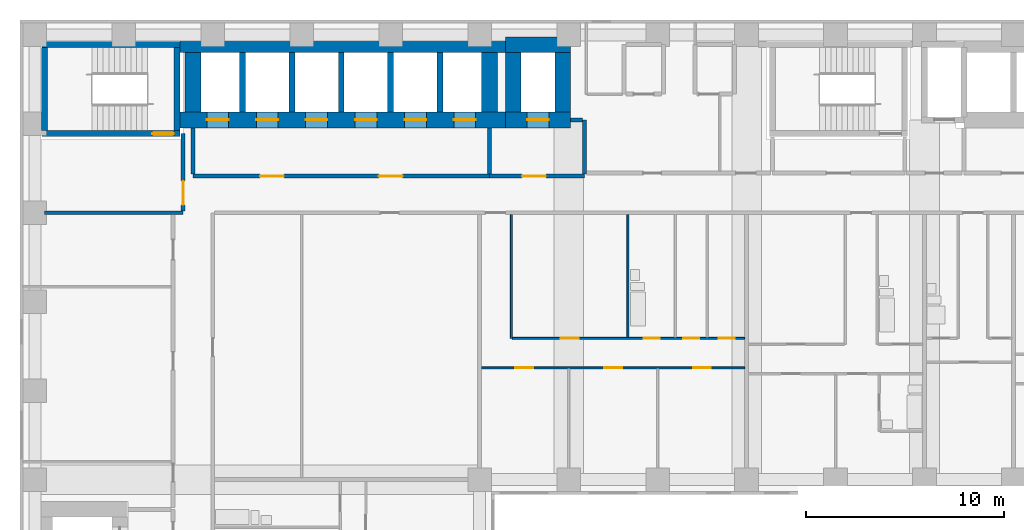
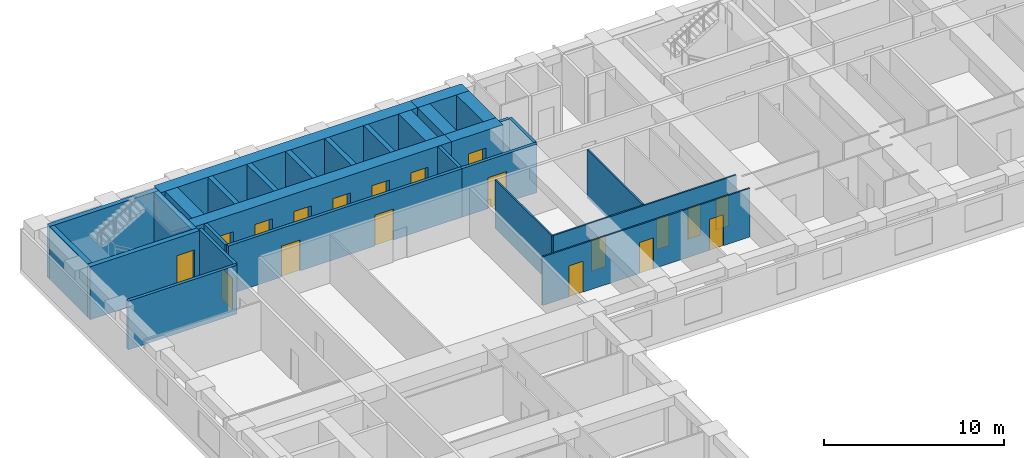
# One storey, part 5 of 12: 29 walls, 19 doors, 19 openings.
"""IFC4 building model written with IfcOpenShell, lengths in metres."""

from ifc_helpers import new_model, si_unit, direction, frame, frame_2d, origin, place, context, subcontext, project, spatial, rectangle, extrude, material, layer, layer_set, type_object, element, fill, save


model = new_model("IFC4")

# Units and contexts
model_context = context("Model", 3, precision=1e-05, world=origin(), true_north=direction((0.0, 1.0)))
body_context = subcontext(model_context, "Body", "Model", "MODEL_VIEW")
ifc_project = project(units=[si_unit("LENGTHUNIT", "METRE"), si_unit("AREAUNIT", "SQUARE_METRE"), si_unit("VOLUMEUNIT", "CUBIC_METRE"), si_unit("PLANEANGLEUNIT", "RADIAN"), si_unit("MASSUNIT", "GRAM", prefix="KILO")], contexts=[model_context])

# Site, building, storey
site_placement = place(None, origin())
site = spatial("IfcSite", under=ifc_project, at=site_placement, CompositionType="ELEMENT")
building_placement = place(site_placement, origin())
building = spatial("IfcBuilding", under=site, at=building_placement, Name="Firuza Court", CompositionType="ELEMENT")
storey_placement = place(building_placement, frame((0.0, 0.0, 65.0)))
storey = spatial("IfcBuildingStorey", under=building, at=storey_placement, Name="L15", CompositionType="ELEMENT", Elevation=65.0)

# Wall
ifc_material_1 = material(Name="Moisture-resistant gypsum board partition")
ifc_layer_1 = layer(ifc_material_1, 0.10009765625)
ifc_layer_set_1 = layer_set([ifc_layer_1], Name="Moisture-resistant gypsum board partition")
wall_type_1 = type_object("IfcWallType", Name="Bathroom partition 100", PredefinedType="PLUMBINGWALL", material=ifc_layer_set_1)
wall_1_placement = place(storey_placement, frame((30.0, 43.199951171875, 0.0), z_axis=(0.0, 0.0, 1.0), x_axis=(0.0, 1.0, 0.0)))
element("IfcWall", 1, at=wall_1_placement, inside=storey, type_object=wall_type_1, Name="Bathroom partition 100 L15", PredefinedType="PLUMBINGWALL", context=body_context, shape_type="SweptSolid", body=[
    extrude(rectangle(XDim=6.199951171875, YDim=0.10009765625, at=frame_2d((3.10009765625, 0.0))), origin(), (0.0, 0.0, 1.0), 3.300048828125),
])

# Wall, opening, door
ifc_material_2 = material(Name="Concrete C60/75", Category="concrete")
ifc_layer_2 = layer(ifc_material_2, 0.300048828125)
ifc_layer_set_2 = layer_set([ifc_layer_2], Name="Concrete C60/75")
wall_type_2 = type_object("IfcWallType", Name="Core wall 300 C60/75", PredefinedType="SHEAR", material=ifc_layer_set_2)
wall_2_placement = place(storey_placement, frame((0.35009765625, 53.5, -0.300048828125), z_axis=(0.0, 0.0, 1.0), x_axis=(1.0, 0.0, 0.0)))
wall_2 = element("IfcWall", 2, at=wall_2_placement, inside=storey, type_object=wall_type_2, Name="Core wall stair L15", PredefinedType="SHEAR", context=body_context, shape_type="SweptSolid", body=[
    extrude(rectangle(XDim=7.0, YDim=0.300048828125, at=frame_2d((3.5, 0.0))), origin(), (0.0, 0.0, 1.0), 3.60009765625),
])
opening_1_placement = place(wall_2_placement, frame((5.580078125, 0.0, 0.300048828125)))
opening_1 = element("IfcOpeningElement", 3, at=opening_1_placement, cuts=wall_2, Name="Opening D15016", PredefinedType="OPENING", context=body_context, shape_type="SweptSolid", body=[
    extrude(rectangle(XDim=1.10009765625, YDim=2.10009765625, at=frame_2d((0.550048828125, 1.050048828125))), frame((0.0, 0.162109375, 0.0), z_axis=(0.0, -1.0, 0.0), x_axis=(1.0, 0.0, 0.0)), (0.0, 0.0, 1.0), 0.323974609375),
])
ifc_material_3 = material(Name="Timber door leaf in hardwood frame", Category="wood")
door_type_1 = type_object("IfcDoorType", Name="Stair door 1100", OperationType="SINGLE_SWING_LEFT", PredefinedType="DOOR", material=ifc_material_3)
door_1_placement = place(opening_1_placement, origin())
door_1 = element("IfcDoor", 4, at=door_1_placement, inside=storey, type_object=door_type_1, Name="Stair door S3", OperationType="SINGLE_SWING_RIGHT", OverallHeight=2.10009765625, OverallWidth=1.10009765625, PredefinedType="DOOR", context=body_context, shape_type="SweptSolid", body=[
    extrude(rectangle(XDim=1.10009765625, YDim=2.10009765625, at=frame_2d((0.550048828125, 1.050048828125))), frame((0.0, 0.02490234375, 0.0), z_axis=(0.0, -1.0, 0.0), x_axis=(1.0, 0.0, 0.0)), (0.0, 0.0, 1.0), 0.050048828125),
])
fill(opening_1, door_1)

# Walls
wall_3_placement = place(storey_placement, frame((0.35009765625, 58.0, -0.300048828125), z_axis=(0.0, 0.0, 1.0), x_axis=(1.0, 0.0, 0.0)))
element("IfcWall", 5, at=wall_3_placement, inside=storey, type_object=wall_type_2, Name="Core wall stair L15", PredefinedType="SHEAR", context=body_context, shape_type="SweptSolid", body=[
    extrude(rectangle(XDim=7.0, YDim=0.300048828125, at=frame_2d((3.5, 0.0))), origin(), (0.0, 0.0, 1.0), 3.60009765625),
])
for number, where, z_axis, x_axis, name in (
    (6, (0.5, 53.64990234375, -0.300048828125), (0.0, 0.0, 1.0), (0.0, 1.0, 0.0), "Core wall stair L15"),
    (7, (7.199951171875, 53.64990234375, -0.300048828125), (0.0, 0.0, 1.0), (0.0, 1.0, 0.0), "Core wall stair L15"),
):
    element("IfcWall", number, at=place(storey_placement, frame(where, z_axis=z_axis, x_axis=x_axis)), inside=storey, type_object=wall_type_2, Name=name, PredefinedType="SHEAR", context=body_context, shape_type="SweptSolid", body=[
        extrude(rectangle(XDim=4.2001953125, YDim=0.300048828125, at=frame_2d((2.10009765625, 0.0))), origin(), (0.0, 0.0, 1.0), 3.60009765625),
    ])
for number, where, z_axis, x_axis, name in (
    (8, (10.5, 54.60009765625, -0.300048828125), (0.0, 0.0, 1.0), (0.0, 1.0, 0.0), "Core wall lift shaft L15"),
    (9, (13.0, 54.60009765625, -0.300048828125), (0.0, 0.0, 1.0), (0.0, 1.0, 0.0), "Core wall lift shaft L15"),
    (10, (15.5, 54.60009765625, -0.300048828125), (0.0, 0.0, 1.0), (0.0, 1.0, 0.0), "Core wall lift shaft L15"),
    (11, (18.0, 54.60009765625, -0.300048828125), (0.0, 0.0, 1.0), (0.0, 1.0, 0.0), "Core wall lift shaft L15"),
    (12, (20.5, 54.60009765625, -0.300048828125), (0.0, 0.0, 1.0), (0.0, 1.0, 0.0), "Core wall lift shaft L15"),
):
    element("IfcWall", number, at=place(storey_placement, frame(where, z_axis=z_axis, x_axis=x_axis)), inside=storey, type_object=wall_type_2, Name=name, PredefinedType="SHEAR", context=body_context, shape_type="SweptSolid", body=[
        extrude(rectangle(XDim=3.0, YDim=0.300048828125, at=frame_2d((1.5, 0.0))), origin(), (0.0, 0.0, 1.0), 3.60009765625),
    ])

# Wall, openings, doors
ifc_layer_3 = layer(ifc_material_2, 0.800048828125)
ifc_layer_set_3 = layer_set([ifc_layer_3], Name="Concrete C60/75")
wall_type_3 = type_object("IfcWallType", Name="Core wall 800 C60/75", PredefinedType="SHEAR", material=ifc_layer_set_3)
wall_4_placement = place(storey_placement, frame((7.35009765625, 54.199951171875, -0.300048828125), z_axis=(0.0, 0.0, 1.0), x_axis=(1.0, 0.0, 0.0)))
wall_4 = element("IfcWall", 13, at=wall_4_placement, inside=storey, type_object=wall_type_3, Name="Core wall lift shaft L15", PredefinedType="SHEAR", context=body_context, shape_type="SweptSolid", body=[
    extrude(rectangle(XDim=16.449951171875, YDim=0.800048828125, at=frame_2d((8.22509765625, 0.0))), origin(), (0.0, 0.0, 1.0), 3.60009765625),
])
opening_2_placement = place(wall_4_placement, frame((1.35009765625, 0.0, 0.300048828125)))
opening_2 = element("IfcOpeningElement", 14, at=opening_2_placement, cuts=wall_4, Name="Opening LD-LB1-15", PredefinedType="OPENING", context=body_context, shape_type="SweptSolid", body=[
    extrude(rectangle(XDim=1.10009765625, YDim=2.10009765625, at=frame_2d((0.550048828125, 1.050048828125))), frame((0.0, 0.412109375, 0.0), z_axis=(0.0, -1.0, 0.0), x_axis=(1.0, 0.0, 0.0)), (0.0, 0.0, 1.0), 0.823974609375),
])
opening_3_placement = place(wall_4_placement, frame((3.85009765625, 0.0, 0.300048828125)))
opening_3 = element("IfcOpeningElement", 15, at=opening_3_placement, cuts=wall_4, Name="Opening LD-LB2-15", PredefinedType="OPENING", context=body_context, shape_type="SweptSolid", body=[
    extrude(rectangle(XDim=1.10009765625, YDim=2.10009765625, at=frame_2d((0.550048828125, 1.050048828125))), frame((0.0, 0.412109375, 0.0), z_axis=(0.0, -1.0, 0.0), x_axis=(1.0, 0.0, 0.0)), (0.0, 0.0, 1.0), 0.823974609375),
])
opening_4_placement = place(wall_4_placement, frame((6.35009765625, 0.0, 0.300048828125)))
opening_4 = element("IfcOpeningElement", 16, at=opening_4_placement, cuts=wall_4, Name="Opening LD-LB3-15", PredefinedType="OPENING", context=body_context, shape_type="SweptSolid", body=[
    extrude(rectangle(XDim=1.10009765625, YDim=2.10009765625, at=frame_2d((0.550048828125, 1.050048828125))), frame((0.0, 0.412109375, 0.0), z_axis=(0.0, -1.0, 0.0), x_axis=(1.0, 0.0, 0.0)), (0.0, 0.0, 1.0), 0.823974609375),
])
opening_5_placement = place(wall_4_placement, frame((8.85009765625, 0.0, 0.300048828125)))
opening_5 = element("IfcOpeningElement", 17, at=opening_5_placement, cuts=wall_4, Name="Opening LD-LB4-15", PredefinedType="OPENING", context=body_context, shape_type="SweptSolid", body=[
    extrude(rectangle(XDim=1.10009765625, YDim=2.10009765625, at=frame_2d((0.550048828125, 1.050048828125))), frame((0.0, 0.412109375, 0.0), z_axis=(0.0, -1.0, 0.0), x_axis=(1.0, 0.0, 0.0)), (0.0, 0.0, 1.0), 0.823974609375),
])
opening_6_placement = place(wall_4_placement, frame((11.35009765625, 0.0, 0.300048828125)))
opening_6 = element("IfcOpeningElement", 18, at=opening_6_placement, cuts=wall_4, Name="Opening LD-LB5-15", PredefinedType="OPENING", context=body_context, shape_type="SweptSolid", body=[
    extrude(rectangle(XDim=1.10009765625, YDim=2.10009765625, at=frame_2d((0.550048828125, 1.050048828125))), frame((0.0, 0.412109375, 0.0), z_axis=(0.0, -1.0, 0.0), x_axis=(1.0, 0.0, 0.0)), (0.0, 0.0, 1.0), 0.823974609375),
])
opening_7_placement = place(wall_4_placement, frame((13.85009765625, 0.0, 0.300048828125)))
opening_7 = element("IfcOpeningElement", 19, at=opening_7_placement, cuts=wall_4, Name="Opening LD-LB6-15", PredefinedType="OPENING", context=body_context, shape_type="SweptSolid", body=[
    extrude(rectangle(XDim=1.10009765625, YDim=2.10009765625, at=frame_2d((0.550048828125, 1.050048828125))), frame((0.0, 0.412109375, 0.0), z_axis=(0.0, -1.0, 0.0), x_axis=(1.0, 0.0, 0.0)), (0.0, 0.0, 1.0), 0.823974609375),
])
ifc_material_4 = material(Name="Stainless steel 1.4301 door leaf", Category="steel")
door_type_2 = type_object("IfcDoorType", Name="Lift landing door 1100", OperationType="SLIDING_TO_LEFT", PredefinedType="DOOR", material=ifc_material_4)
door_2_placement = place(opening_2_placement, origin())
door_2 = element("IfcDoor", 20, at=door_2_placement, inside=storey, type_object=door_type_2, Name="Landing door LB1", OperationType="SLIDING_TO_LEFT", OverallHeight=2.10009765625, OverallWidth=1.10009765625, PredefinedType="DOOR", context=body_context, shape_type="SweptSolid", body=[
    extrude(rectangle(XDim=1.10009765625, YDim=2.10009765625, at=frame_2d((0.550048828125, 1.050048828125))), frame((0.0, 0.02490234375, 0.0), z_axis=(0.0, -1.0, 0.0), x_axis=(1.0, 0.0, 0.0)), (0.0, 0.0, 1.0), 0.050048828125),
])
fill(opening_2, door_2)
door_3_placement = place(opening_3_placement, origin())
door_3 = element("IfcDoor", 21, at=door_3_placement, inside=storey, type_object=door_type_2, Name="Landing door LB2", OperationType="SLIDING_TO_LEFT", OverallHeight=2.10009765625, OverallWidth=1.10009765625, PredefinedType="DOOR", context=body_context, shape_type="SweptSolid", body=[
    extrude(rectangle(XDim=1.10009765625, YDim=2.10009765625, at=frame_2d((0.550048828125, 1.050048828125))), frame((0.0, 0.02490234375, 0.0), z_axis=(0.0, -1.0, 0.0), x_axis=(1.0, 0.0, 0.0)), (0.0, 0.0, 1.0), 0.050048828125),
])
fill(opening_3, door_3)
door_4_placement = place(opening_4_placement, origin())
door_4 = element("IfcDoor", 22, at=door_4_placement, inside=storey, type_object=door_type_2, Name="Landing door LB3", OperationType="SLIDING_TO_LEFT", OverallHeight=2.10009765625, OverallWidth=1.10009765625, PredefinedType="DOOR", context=body_context, shape_type="SweptSolid", body=[
    extrude(rectangle(XDim=1.10009765625, YDim=2.10009765625, at=frame_2d((0.550048828125, 1.050048828125))), frame((0.0, 0.02490234375, 0.0), z_axis=(0.0, -1.0, 0.0), x_axis=(1.0, 0.0, 0.0)), (0.0, 0.0, 1.0), 0.050048828125),
])
fill(opening_4, door_4)
door_5_placement = place(opening_5_placement, origin())
door_5 = element("IfcDoor", 23, at=door_5_placement, inside=storey, type_object=door_type_2, Name="Landing door LB4", OperationType="SLIDING_TO_LEFT", OverallHeight=2.10009765625, OverallWidth=1.10009765625, PredefinedType="DOOR", context=body_context, shape_type="SweptSolid", body=[
    extrude(rectangle(XDim=1.10009765625, YDim=2.10009765625, at=frame_2d((0.550048828125, 1.050048828125))), frame((0.0, 0.02490234375, 0.0), z_axis=(0.0, -1.0, 0.0), x_axis=(1.0, 0.0, 0.0)), (0.0, 0.0, 1.0), 0.050048828125),
])
fill(opening_5, door_5)
door_6_placement = place(opening_6_placement, origin())
door_6 = element("IfcDoor", 24, at=door_6_placement, inside=storey, type_object=door_type_2, Name="Landing door LB5", OperationType="SLIDING_TO_LEFT", OverallHeight=2.10009765625, OverallWidth=1.10009765625, PredefinedType="DOOR", context=body_context, shape_type="SweptSolid", body=[
    extrude(rectangle(XDim=1.10009765625, YDim=2.10009765625, at=frame_2d((0.550048828125, 1.050048828125))), frame((0.0, 0.02490234375, 0.0), z_axis=(0.0, -1.0, 0.0), x_axis=(1.0, 0.0, 0.0)), (0.0, 0.0, 1.0), 0.050048828125),
])
fill(opening_6, door_6)
door_7_placement = place(opening_7_placement, origin())
door_7 = element("IfcDoor", 25, at=door_7_placement, inside=storey, type_object=door_type_2, Name="Landing door LB6", OperationType="SLIDING_TO_LEFT", OverallHeight=2.10009765625, OverallWidth=1.10009765625, PredefinedType="DOOR", context=body_context, shape_type="SweptSolid", body=[
    extrude(rectangle(XDim=1.10009765625, YDim=2.10009765625, at=frame_2d((0.550048828125, 1.050048828125))), frame((0.0, 0.02490234375, 0.0), z_axis=(0.0, -1.0, 0.0), x_axis=(1.0, 0.0, 0.0)), (0.0, 0.0, 1.0), 0.050048828125),
])
fill(opening_7, door_7)

# Walls
wall_5_placement = place(storey_placement, frame((7.35009765625, 58.0, -0.300048828125), z_axis=(0.0, 0.0, 1.0), x_axis=(1.0, 0.0, 0.0)))
element("IfcWall", 26, at=wall_5_placement, inside=storey, type_object=wall_type_3, Name="Core wall lift shaft L15", PredefinedType="SHEAR", context=body_context, shape_type="SweptSolid", body=[
    extrude(rectangle(XDim=16.449951171875, YDim=0.800048828125, at=frame_2d((8.22509765625, 0.0))), origin(), (0.0, 0.0, 1.0), 3.60009765625),
])
for number, where, z_axis, x_axis, name in (
    (27, (8.0, 54.60009765625, -0.300048828125), (0.0, 0.0, 1.0), (0.0, 1.0, 0.0), "Core wall lift shaft L15"),
    (28, (23.0, 54.60009765625, -0.300048828125), (0.0, 0.0, 1.0), (0.0, 1.0, 0.0), "Core wall lift shaft L15"),
):
    element("IfcWall", number, at=place(storey_placement, frame(where, z_axis=z_axis, x_axis=x_axis)), inside=storey, type_object=wall_type_3, Name=name, PredefinedType="SHEAR", context=body_context, shape_type="SweptSolid", body=[
        extrude(rectangle(XDim=3.0, YDim=0.800048828125, at=frame_2d((1.5, 0.0))), origin(), (0.0, 0.0, 1.0), 3.60009765625),
    ])

# Wall, opening, door
wall_6_placement = place(storey_placement, frame((23.800048828125, 54.199951171875, -0.300048828125), z_axis=(0.0, 0.0, 1.0), x_axis=(1.0, 0.0, 0.0)))
wall_6 = element("IfcWall", 29, at=wall_6_placement, inside=storey, type_object=wall_type_3, Name="Core wall lift shaft L15", PredefinedType="SHEAR", context=body_context, shape_type="SweptSolid", body=[
    extrude(rectangle(XDim=3.300048828125, YDim=0.800048828125, at=frame_2d((1.64990234375, 0.0))), origin(), (0.0, 0.0, 1.0), 3.60009765625),
])
opening_8_placement = place(wall_6_placement, frame((1.10009765625, 0.0, 0.300048828125)))
opening_8 = element("IfcOpeningElement", 30, at=opening_8_placement, cuts=wall_6, Name="Opening LD-FL3-15", PredefinedType="OPENING", context=body_context, shape_type="SweptSolid", body=[
    extrude(rectangle(XDim=1.10009765625, YDim=2.10009765625, at=frame_2d((0.550048828125, 1.050048828125))), frame((0.0, 0.412109375, 0.0), z_axis=(0.0, -1.0, 0.0), x_axis=(1.0, 0.0, 0.0)), (0.0, 0.0, 1.0), 0.823974609375),
])
door_8_placement = place(opening_8_placement, origin())
door_8 = element("IfcDoor", 31, at=door_8_placement, inside=storey, type_object=door_type_2, Name="Landing door FL3", OperationType="SLIDING_TO_LEFT", OverallHeight=2.10009765625, OverallWidth=1.10009765625, PredefinedType="DOOR", context=body_context, shape_type="SweptSolid", body=[
    extrude(rectangle(XDim=1.10009765625, YDim=2.10009765625, at=frame_2d((0.550048828125, 1.050048828125))), frame((0.0, 0.02490234375, 0.0), z_axis=(0.0, -1.0, 0.0), x_axis=(1.0, 0.0, 0.0)), (0.0, 0.0, 1.0), 0.050048828125),
])
fill(opening_8, door_8)

# Walls
wall_7_placement = place(storey_placement, frame((23.800048828125, 58.0, -0.300048828125), z_axis=(0.0, 0.0, 1.0), x_axis=(1.0, 0.0, 0.0)))
element("IfcWall", 32, at=wall_7_placement, inside=storey, type_object=wall_type_3, Name="Core wall lift shaft L15", PredefinedType="SHEAR", context=body_context, shape_type="SweptSolid", body=[
    extrude(rectangle(XDim=3.300048828125, YDim=0.800048828125, at=frame_2d((1.64990234375, 0.0))), origin(), (0.0, 0.0, 1.0), 3.60009765625),
])
for number, where, z_axis, x_axis, name in (
    (33, (24.199951171875, 54.60009765625, -0.300048828125), (0.0, 0.0, 1.0), (0.0, 1.0, 0.0), "Core wall lift shaft L15"),
    (34, (26.699951171875, 54.60009765625, -0.300048828125), (0.0, 0.0, 1.0), (0.0, 1.0, 0.0), "Core wall lift shaft L15"),
):
    element("IfcWall", number, at=place(storey_placement, frame(where, z_axis=z_axis, x_axis=x_axis)), inside=storey, type_object=wall_type_3, Name=name, PredefinedType="SHEAR", context=body_context, shape_type="SweptSolid", body=[
        extrude(rectangle(XDim=3.0, YDim=0.800048828125, at=frame_2d((1.5, 0.0))), origin(), (0.0, 0.0, 1.0), 3.60009765625),
    ])

# Wall, openings, doors
ifc_material_5 = material(Name="Timber stud partition, plasterboard both sides", Category="wood")
ifc_layer_4 = layer(ifc_material_5, 0.10009765625)
ifc_layer_set_4 = layer_set([ifc_layer_4], Name="Timber stud partition, plasterboard both sides")
wall_type_4 = type_object("IfcWallType", Name="Partition wall 100", PredefinedType="PARTITIONING", material=ifc_layer_set_4)
wall_8_placement = place(storey_placement, frame((22.60009765625, 41.64990234375, 0.0), z_axis=(0.0, 0.0, 1.0), x_axis=(1.0, 0.0, 0.0)))
wall_8 = element("IfcWall", 35, at=wall_8_placement, inside=storey, type_object=wall_type_4, Name="Partition wall 100 L15", PredefinedType="PARTITIONING", context=body_context, shape_type="SweptSolid", body=[
    extrude(rectangle(XDim=13.2998046875, YDim=0.10009765625, at=frame_2d((6.64990234375, 0.0))), origin(), (0.0, 0.0, 1.0), 3.300048828125),
])
opening_9_placement = place(wall_8_placement, frame((1.699951171875, 0.0, 0.0)))
opening_9 = element("IfcOpeningElement", 36, at=opening_9_placement, cuts=wall_8, Name="Opening D15053", PredefinedType="OPENING", context=body_context, shape_type="SweptSolid", body=[
    extrude(rectangle(XDim=0.89990234375, YDim=2.10009765625, at=frame_2d((0.449951171875, 1.050048828125))), frame((0.0, 0.06201171875, 0.0), z_axis=(0.0, -1.0, 0.0), x_axis=(1.0, 0.0, 0.0)), (0.0, 0.0, 1.0), 0.1240234375),
])
opening_10_placement = place(wall_8_placement, frame((6.199951171875, 0.0, 0.0)))
opening_10 = element("IfcOpeningElement", 37, at=opening_10_placement, cuts=wall_8, Name="Opening D15054", PredefinedType="OPENING", context=body_context, shape_type="SweptSolid", body=[
    extrude(rectangle(XDim=0.89990234375, YDim=2.10009765625, at=frame_2d((0.449951171875, 1.050048828125))), frame((0.0, 0.06201171875, 0.0), z_axis=(0.0, -1.0, 0.0), x_axis=(1.0, 0.0, 0.0)), (0.0, 0.0, 1.0), 0.1240234375),
])
opening_11_placement = place(wall_8_placement, frame((10.699951171875, 0.0, 0.0)))
opening_11 = element("IfcOpeningElement", 38, at=opening_11_placement, cuts=wall_8, Name="Opening D15055", PredefinedType="OPENING", context=body_context, shape_type="SweptSolid", body=[
    extrude(rectangle(XDim=0.89990234375, YDim=2.10009765625, at=frame_2d((0.449951171875, 1.050048828125))), frame((0.0, 0.06201171875, 0.0), z_axis=(0.0, -1.0, 0.0), x_axis=(1.0, 0.0, 0.0)), (0.0, 0.0, 1.0), 0.1240234375),
])
ifc_material_6 = material(Name="Timber door leaf in hardwood frame", Category="wood")
door_type_3 = type_object("IfcDoorType", Name="Room door 900", OperationType="SINGLE_SWING_LEFT", PredefinedType="DOOR", material=ifc_material_6)
door_9_placement = place(opening_9_placement, frame((0.89990234375, 0.0, 0.0), z_axis=(0.0, 0.0, 1.0), x_axis=(-1.0, 0.0, 0.0)))
door_9 = element("IfcDoor", 39, at=door_9_placement, inside=storey, type_object=door_type_3, Name="Living room door", OperationType="SINGLE_SWING_RIGHT", OverallHeight=2.10009765625, OverallWidth=0.89990234375, PredefinedType="DOOR", context=body_context, shape_type="SweptSolid", body=[
    extrude(rectangle(XDim=0.89990234375, YDim=2.10009765625, at=frame_2d((0.449951171875, 1.050048828125))), frame((0.0, 0.02490234375, 0.0), z_axis=(0.0, -1.0, 0.0), x_axis=(1.0, 0.0, 0.0)), (0.0, 0.0, 1.0), 0.050048828125),
])
fill(opening_9, door_9)
door_10_placement = place(opening_10_placement, frame((0.89990234375, 0.0, 0.0), z_axis=(0.0, 0.0, 1.0), x_axis=(-1.0, 0.0, 0.0)))
door_10 = element("IfcDoor", 40, at=door_10_placement, inside=storey, type_object=door_type_3, Name="Bedroom door", OperationType="SINGLE_SWING_RIGHT", OverallHeight=2.10009765625, OverallWidth=0.89990234375, PredefinedType="DOOR", context=body_context, shape_type="SweptSolid", body=[
    extrude(rectangle(XDim=0.89990234375, YDim=2.10009765625, at=frame_2d((0.449951171875, 1.050048828125))), frame((0.0, 0.02490234375, 0.0), z_axis=(0.0, -1.0, 0.0), x_axis=(1.0, 0.0, 0.0)), (0.0, 0.0, 1.0), 0.050048828125),
])
fill(opening_10, door_10)
door_11_placement = place(opening_11_placement, frame((0.89990234375, 0.0, 0.0), z_axis=(0.0, 0.0, 1.0), x_axis=(-1.0, 0.0, 0.0)))
door_11 = element("IfcDoor", 41, at=door_11_placement, inside=storey, type_object=door_type_3, Name="Bedroom door", OperationType="SINGLE_SWING_RIGHT", OverallHeight=2.10009765625, OverallWidth=0.89990234375, PredefinedType="DOOR", context=body_context, shape_type="SweptSolid", body=[
    extrude(rectangle(XDim=0.89990234375, YDim=2.10009765625, at=frame_2d((0.449951171875, 1.050048828125))), frame((0.0, 0.02490234375, 0.0), z_axis=(0.0, -1.0, 0.0), x_axis=(1.0, 0.0, 0.0)), (0.0, 0.0, 1.0), 0.050048828125),
])
fill(opening_11, door_11)

# Wall
wall_9_placement = place(storey_placement, frame((24.10009765625, 43.14990234375, 0.0), z_axis=(0.0, 0.0, 1.0), x_axis=(0.0, 1.0, 0.0)))
element("IfcWall", 42, at=wall_9_placement, inside=storey, type_object=wall_type_4, Name="Partition wall 100 L15", PredefinedType="PARTITIONING", context=body_context, shape_type="SweptSolid", body=[
    extrude(rectangle(XDim=6.25, YDim=0.10009765625, at=frame_2d((3.125, 0.0))), origin(), (0.0, 0.0, 1.0), 3.300048828125),
])

# Wall, openings, doors
wall_10_placement = place(storey_placement, frame((24.14990234375, 43.14990234375, 0.0), z_axis=(0.0, 0.0, 1.0), x_axis=(1.0, 0.0, 0.0)))
wall_10 = element("IfcWall", 43, at=wall_10_placement, inside=storey, type_object=wall_type_4, Name="Partition wall 100 L15", PredefinedType="PARTITIONING", context=body_context, shape_type="SweptSolid", body=[
    extrude(rectangle(XDim=11.75, YDim=0.10009765625, at=frame_2d((5.875, 0.0))), origin(), (0.0, 0.0, 1.0), 3.300048828125),
])
opening_12_placement = place(wall_10_placement, frame((6.64990234375, 0.0, 0.0)))
opening_12 = element("IfcOpeningElement", 44, at=opening_12_placement, cuts=wall_10, Name="Opening D15061", PredefinedType="OPENING", context=body_context, shape_type="SweptSolid", body=[
    extrude(rectangle(XDim=0.800048828125, YDim=2.10009765625, at=frame_2d((0.39990234375, 1.050048828125))), frame((0.0, 0.06201171875, 0.0), z_axis=(0.0, -1.0, 0.0), x_axis=(1.0, 0.0, 0.0)), (0.0, 0.0, 1.0), 0.1240234375),
])
opening_13_placement = place(wall_10_placement, frame((2.449951171875, 0.0, 0.0)))
opening_13 = element("IfcOpeningElement", 45, at=opening_13_placement, cuts=wall_10, Name="Opening D15062", PredefinedType="OPENING", context=body_context, shape_type="SweptSolid", body=[
    extrude(rectangle(XDim=0.89990234375, YDim=2.10009765625, at=frame_2d((0.449951171875, 1.050048828125))), frame((0.0, 0.06201171875, 0.0), z_axis=(0.0, -1.0, 0.0), x_axis=(1.0, 0.0, 0.0)), (0.0, 0.0, 1.0), 0.1240234375),
])
opening_14_placement = place(wall_10_placement, frame((8.64990234375, 0.0, 0.0)))
opening_14 = element("IfcOpeningElement", 46, at=opening_14_placement, cuts=wall_10, Name="Opening D15063", PredefinedType="OPENING", context=body_context, shape_type="SweptSolid", body=[
    extrude(rectangle(XDim=0.800048828125, YDim=2.10009765625, at=frame_2d((0.39990234375, 1.050048828125))), frame((0.0, 0.06201171875, 0.0), z_axis=(0.0, -1.0, 0.0), x_axis=(1.0, 0.0, 0.0)), (0.0, 0.0, 1.0), 0.1240234375),
])
opening_15_placement = place(wall_10_placement, frame((10.449951171875, 0.0, 0.0)))
opening_15 = element("IfcOpeningElement", 47, at=opening_15_placement, cuts=wall_10, Name="Opening D15064", PredefinedType="OPENING", context=body_context, shape_type="SweptSolid", body=[
    extrude(rectangle(XDim=0.800048828125, YDim=2.10009765625, at=frame_2d((0.39990234375, 1.050048828125))), frame((0.0, 0.06201171875, 0.0), z_axis=(0.0, -1.0, 0.0), x_axis=(1.0, 0.0, 0.0)), (0.0, 0.0, 1.0), 0.1240234375),
])
ifc_material_7 = material(Name="Timber door leaf in hardwood frame", Category="wood")
door_type_4 = type_object("IfcDoorType", Name="Bathroom door 800", OperationType="SINGLE_SWING_LEFT", PredefinedType="DOOR", material=ifc_material_7)
door_12_placement = place(opening_12_placement, origin())
door_12 = element("IfcDoor", 48, at=door_12_placement, inside=storey, type_object=door_type_4, Name="Bathroom door", OperationType="SINGLE_SWING_LEFT", OverallHeight=2.10009765625, OverallWidth=0.800048828125, PredefinedType="DOOR", context=body_context, shape_type="SweptSolid", body=[
    extrude(rectangle(XDim=0.800048828125, YDim=2.10009765625, at=frame_2d((0.39990234375, 1.050048828125))), frame((0.0, 0.02490234375, 0.0), z_axis=(0.0, -1.0, 0.0), x_axis=(1.0, 0.0, 0.0)), (0.0, 0.0, 1.0), 0.050048828125),
])
fill(opening_12, door_12)
ifc_material_8 = material(Name="Timber door leaf in hardwood frame", Category="wood")
door_type_5 = type_object("IfcDoorType", Name="Room door 800", OperationType="SINGLE_SWING_LEFT", PredefinedType="DOOR", material=ifc_material_8)
door_13_placement = place(opening_14_placement, origin())
door_13 = element("IfcDoor", 49, at=door_13_placement, inside=storey, type_object=door_type_5, Name="Store door", OperationType="SINGLE_SWING_LEFT", OverallHeight=2.10009765625, OverallWidth=0.800048828125, PredefinedType="DOOR", context=body_context, shape_type="SweptSolid", body=[
    extrude(rectangle(XDim=0.800048828125, YDim=2.10009765625, at=frame_2d((0.39990234375, 1.050048828125))), frame((0.0, 0.02490234375, 0.0), z_axis=(0.0, -1.0, 0.0), x_axis=(1.0, 0.0, 0.0)), (0.0, 0.0, 1.0), 0.050048828125),
])
fill(opening_14, door_13)
door_14_placement = place(opening_15_placement, origin())
door_14 = element("IfcDoor", 50, at=door_14_placement, inside=storey, type_object=door_type_5, Name="Utility room door", OperationType="SINGLE_SWING_LEFT", OverallHeight=2.10009765625, OverallWidth=0.800048828125, PredefinedType="DOOR", context=body_context, shape_type="SweptSolid", body=[
    extrude(rectangle(XDim=0.800048828125, YDim=2.10009765625, at=frame_2d((0.39990234375, 1.050048828125))), frame((0.0, 0.02490234375, 0.0), z_axis=(0.0, -1.0, 0.0), x_axis=(1.0, 0.0, 0.0)), (0.0, 0.0, 1.0), 0.050048828125),
])
fill(opening_15, door_14)
door_15_placement = place(opening_13_placement, origin())
door_15 = element("IfcDoor", 51, at=door_15_placement, inside=storey, type_object=door_type_3, Name="Kitchen door", OperationType="SINGLE_SWING_LEFT", OverallHeight=2.10009765625, OverallWidth=0.89990234375, PredefinedType="DOOR", context=body_context, shape_type="SweptSolid", body=[
    extrude(rectangle(XDim=0.89990234375, YDim=2.10009765625, at=frame_2d((0.449951171875, 1.050048828125))), frame((0.0, 0.02490234375, 0.0), z_axis=(0.0, -1.0, 0.0), x_axis=(1.0, 0.0, 0.0)), (0.0, 0.0, 1.0), 0.050048828125),
])
fill(opening_13, door_15)

ifc_material_9 = material(Name="Blockwork, fire-rated", Category="masonry")
ifc_layer_5 = layer(ifc_material_9, 0.199951171875)
ifc_layer_set_5 = layer_set([ifc_layer_5], Name="Blockwork, fire-rated")
wall_type_5 = type_object("IfcWallType", Name="Shaft wall 200", PredefinedType="PARTITIONING", material=ifc_layer_set_5)
wall_11_placement = place(storey_placement, frame((8.0, 51.35009765625, 0.0), z_axis=(0.0, 0.0, 1.0), x_axis=(1.0, 0.0, 0.0)))
wall_11 = element("IfcWall", 52, at=wall_11_placement, inside=storey, type_object=wall_type_5, Name="Shaft wall 200 L15", PredefinedType="PARTITIONING", context=body_context, shape_type="SweptSolid", body=[
    extrude(rectangle(XDim=15.0, YDim=0.199951171875, at=frame_2d((7.5, 0.0))), origin(), (0.0, 0.0, 1.0), 3.300048828125),
])
opening_16_placement = place(wall_11_placement, frame((3.39990234375, 0.0, 0.0)))
opening_16 = element("IfcOpeningElement", 53, at=opening_16_placement, cuts=wall_11, Name="Opening D15004", PredefinedType="OPENING", context=body_context, shape_type="SweptSolid", body=[
    extrude(rectangle(XDim=1.199951171875, YDim=2.10009765625, at=frame_2d((0.60009765625, 1.050048828125))), frame((0.0, 0.11181640625, 0.0), z_axis=(0.0, -1.0, 0.0), x_axis=(1.0, 0.0, 0.0)), (0.0, 0.0, 1.0), 0.223876953125),
])
opening_17_placement = place(wall_11_placement, frame((9.39990234375, 0.0, 0.0)))
opening_17 = element("IfcOpeningElement", 54, at=opening_17_placement, cuts=wall_11, Name="Opening D15005", PredefinedType="OPENING", context=body_context, shape_type="SweptSolid", body=[
    extrude(rectangle(XDim=1.199951171875, YDim=2.10009765625, at=frame_2d((0.60009765625, 1.050048828125))), frame((0.0, 0.11181640625, 0.0), z_axis=(0.0, -1.0, 0.0), x_axis=(1.0, 0.0, 0.0)), (0.0, 0.0, 1.0), 0.223876953125),
])
ifc_material_10 = material(Name="Timber door leaf in hardwood frame", Category="wood")
door_type_6 = type_object("IfcDoorType", Name="Lobby door 1200", OperationType="SINGLE_SWING_LEFT", PredefinedType="DOOR", material=ifc_material_10)
door_16_placement = place(opening_16_placement, origin())
door_16 = element("IfcDoor", 55, at=door_16_placement, inside=storey, type_object=door_type_6, Name="Lobby door", OperationType="SINGLE_SWING_LEFT", OverallHeight=2.10009765625, OverallWidth=1.199951171875, PredefinedType="DOOR", context=body_context, shape_type="SweptSolid", body=[
    extrude(rectangle(XDim=1.199951171875, YDim=2.10009765625, at=frame_2d((0.60009765625, 1.050048828125))), frame((0.0, 0.02490234375, 0.0), z_axis=(0.0, -1.0, 0.0), x_axis=(1.0, 0.0, 0.0)), (0.0, 0.0, 1.0), 0.050048828125),
])
fill(opening_16, door_16)
door_17_placement = place(opening_17_placement, origin())
door_17 = element("IfcDoor", 56, at=door_17_placement, inside=storey, type_object=door_type_6, Name="Lobby door", OperationType="SINGLE_SWING_RIGHT", OverallHeight=2.10009765625, OverallWidth=1.199951171875, PredefinedType="DOOR", context=body_context, shape_type="SweptSolid", body=[
    extrude(rectangle(XDim=1.199951171875, YDim=2.10009765625, at=frame_2d((0.60009765625, 1.050048828125))), frame((0.0, 0.02490234375, 0.0), z_axis=(0.0, -1.0, 0.0), x_axis=(1.0, 0.0, 0.0)), (0.0, 0.0, 1.0), 0.050048828125),
])
fill(opening_17, door_17)

# Walls
for number, where, z_axis, x_axis, name in (
    (57, (23.0, 51.449951171875, 0.0), (0.0, 0.0, 1.0), (0.0, 1.0, 0.0), "Shaft wall 200 L15"),
    (58, (8.0, 51.449951171875, 0.0), (0.0, 0.0, 1.0), (0.0, 1.0, 0.0), "Shaft wall 200 L15"),
):
    element("IfcWall", number, at=place(storey_placement, frame(where, z_axis=z_axis, x_axis=x_axis)), inside=storey, type_object=wall_type_5, Name=name, PredefinedType="PARTITIONING", context=body_context, shape_type="SweptSolid", body=[
        extrude(rectangle(XDim=2.330078125, YDim=0.199951171875, at=frame_2d((1.1650390625, 0.0))), origin(), (0.0, 0.0, 1.0), 3.300048828125),
    ])

# Wall, opening, door
wall_12_placement = place(storey_placement, frame((23.0, 51.35009765625, 0.0), z_axis=(0.0, 0.0, 1.0), x_axis=(1.0, 0.0, 0.0)))
wall_12 = element("IfcWall", 59, at=wall_12_placement, inside=storey, type_object=wall_type_5, Name="Shaft wall 200 L15", PredefinedType="PARTITIONING", context=body_context, shape_type="SweptSolid", body=[
    extrude(rectangle(XDim=4.800048828125, YDim=0.199951171875, at=frame_2d((2.39990234375, 0.0))), origin(), (0.0, 0.0, 1.0), 3.300048828125),
])
opening_18_placement = place(wall_12_placement, frame((1.64990234375, 0.0, 0.0)))
opening_18 = element("IfcOpeningElement", 60, at=opening_18_placement, cuts=wall_12, Name="Opening D15003", PredefinedType="OPENING", context=body_context, shape_type="SweptSolid", body=[
    extrude(rectangle(XDim=1.199951171875, YDim=2.10009765625, at=frame_2d((0.60009765625, 1.050048828125))), frame((0.0, 0.11181640625, 0.0), z_axis=(0.0, -1.0, 0.0), x_axis=(1.0, 0.0, 0.0)), (0.0, 0.0, 1.0), 0.223876953125),
])
door_18_placement = place(opening_18_placement, origin())
door_18 = element("IfcDoor", 61, at=door_18_placement, inside=storey, type_object=door_type_6, Name="Fire-fighting lobby door", OperationType="SINGLE_SWING_LEFT", OverallHeight=2.10009765625, OverallWidth=1.199951171875, PredefinedType="DOOR", context=body_context, shape_type="SweptSolid", body=[
    extrude(rectangle(XDim=1.199951171875, YDim=2.10009765625, at=frame_2d((0.60009765625, 1.050048828125))), frame((0.0, 0.02490234375, 0.0), z_axis=(0.0, -1.0, 0.0), x_axis=(1.0, 0.0, 0.0)), (0.0, 0.0, 1.0), 0.050048828125),
])
fill(opening_18, door_18)

# Walls
wall_13_placement = place(storey_placement, frame((27.800048828125, 51.449951171875, 0.0), z_axis=(0.0, 0.0, 1.0), x_axis=(0.0, 1.0, 0.0)))
element("IfcWall", 62, at=wall_13_placement, inside=storey, type_object=wall_type_5, Name="Shaft wall 200 L15", PredefinedType="PARTITIONING", context=body_context, shape_type="SweptSolid", body=[
    extrude(rectangle(XDim=2.75, YDim=0.199951171875, at=frame_2d((1.375, 0.0))), origin(), (0.0, 0.0, 1.0), 3.300048828125),
])
wall_14_placement = place(storey_placement, frame((27.10009765625, 54.199951171875, 0.0), z_axis=(0.0, 0.0, 1.0), x_axis=(1.0, 0.0, 0.0)))
element("IfcWall", 63, at=wall_14_placement, inside=storey, type_object=wall_type_5, Name="Shaft wall 200 L15", PredefinedType="PARTITIONING", context=body_context, shape_type="SweptSolid", body=[
    extrude(rectangle(XDim=0.599853515625, YDim=0.199951171875, at=frame_2d((0.2998046875, 0.0))), origin(), (0.0, 0.0, 1.0), 3.300048828125),
])
wall_15_placement = place(storey_placement, frame((0.5, 49.5, 0.0), z_axis=(0.0, 0.0, 1.0), x_axis=(1.0, 0.0, 0.0)))
element("IfcWall", 64, at=wall_15_placement, inside=storey, type_object=wall_type_5, Name="Shaft wall 200 L15", PredefinedType="PARTITIONING", context=body_context, shape_type="SweptSolid", body=[
    extrude(rectangle(XDim=7.0, YDim=0.199951171875, at=frame_2d((3.5, 0.0))), origin(), (0.0, 0.0, 1.0), 3.300048828125),
])

# Wall, opening, door
wall_16_placement = place(storey_placement, frame((7.5, 49.60009765625, 0.0), z_axis=(0.0, 0.0, 1.0), x_axis=(0.0, 1.0, 0.0)))
wall_16 = element("IfcWall", 65, at=wall_16_placement, inside=storey, type_object=wall_type_5, Name="Shaft wall 200 L15", PredefinedType="PARTITIONING", context=body_context, shape_type="SweptSolid", body=[
    extrude(rectangle(XDim=3.89990234375, YDim=0.199951171875, at=frame_2d((1.949951171875, 0.0))), origin(), (0.0, 0.0, 1.0), 3.300048828125),
])
opening_19_placement = place(wall_16_placement, frame((0.300048828125, 0.0, 0.0)))
opening_19 = element("IfcOpeningElement", 66, at=opening_19_placement, cuts=wall_16, Name="Opening D15001", PredefinedType="OPENING", context=body_context, shape_type="SweptSolid", body=[
    extrude(rectangle(XDim=1.199951171875, YDim=2.10009765625, at=frame_2d((0.60009765625, 1.050048828125))), frame((0.0, 0.11181640625, 0.0), z_axis=(0.0, -1.0, 0.0), x_axis=(1.0, 0.0, 0.0)), (0.0, 0.0, 1.0), 0.223876953125),
])
door_19_placement = place(opening_19_placement, origin())
door_19 = element("IfcDoor", 67, at=door_19_placement, inside=storey, type_object=door_type_6, Name="Lobby door", OperationType="SINGLE_SWING_LEFT", OverallHeight=2.10009765625, OverallWidth=1.199951171875, PredefinedType="DOOR", context=body_context, shape_type="SweptSolid", body=[
    extrude(rectangle(XDim=1.199951171875, YDim=2.10009765625, at=frame_2d((0.60009765625, 1.050048828125))), frame((0.0, 0.02490234375, 0.0), z_axis=(0.0, -1.0, 0.0), x_axis=(1.0, 0.0, 0.0)), (0.0, 0.0, 1.0), 0.050048828125),
])
fill(opening_19, door_19)

save(model, "model.ifc")
